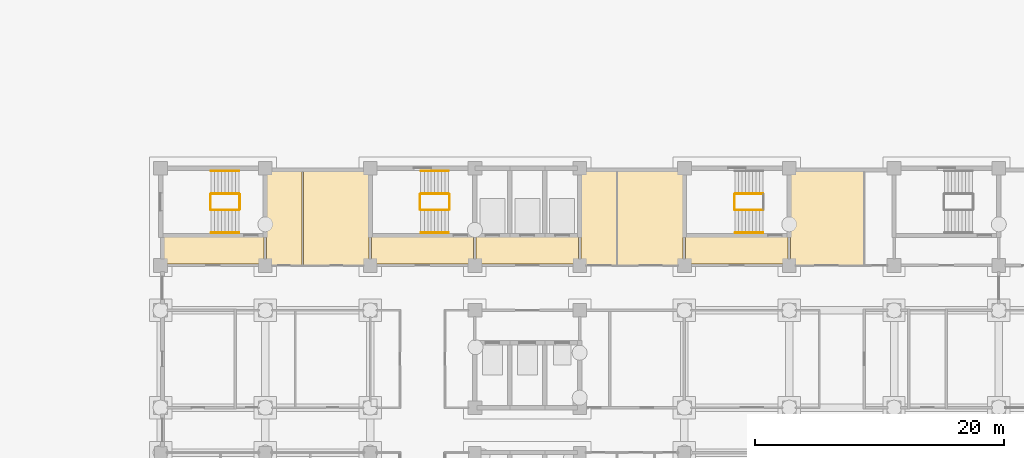
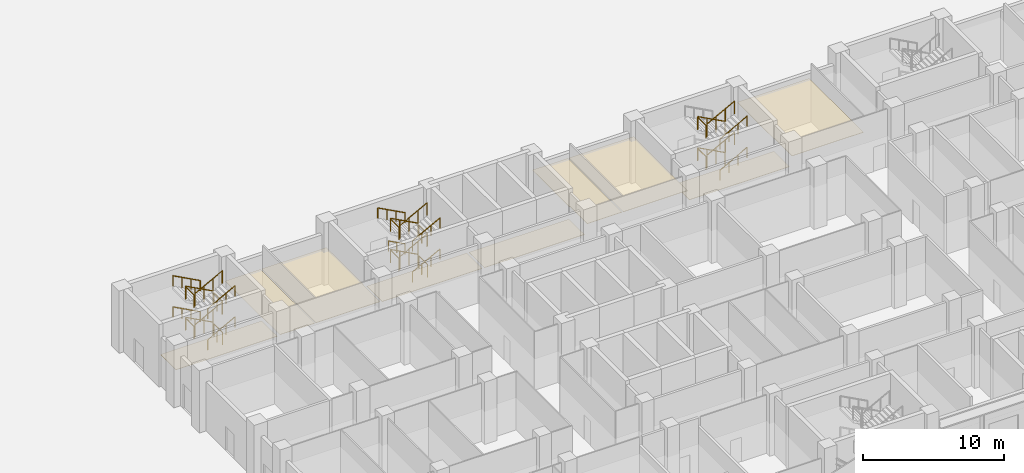
# One storey, part 140 of 146: 32 railings, 9 coverings.
"""IFC4 building model written with IfcOpenShell, lengths in metres."""

from ifc_helpers import new_model, si_unit, direction, frame, origin, origin_2d, place, context, subcontext, project, spatial, polyline, circle, outline, extrude, material, layer, layer_set, type_object, element, save


model = new_model("IFC4")

# Units and contexts
model_context = context("Model", 3, precision=1e-05, world=origin(), true_north=direction((0.0, 1.0)))
body_context = subcontext(model_context, "Body", "Model", "MODEL_VIEW")
ifc_project = project(units=[si_unit("LENGTHUNIT", "METRE"), si_unit("AREAUNIT", "SQUARE_METRE"), si_unit("VOLUMEUNIT", "CUBIC_METRE"), si_unit("PLANEANGLEUNIT", "RADIAN"), si_unit("MASSUNIT", "GRAM", prefix="KILO")], contexts=[model_context])

# Site, building, storey
site_placement = place(None, origin())
site = spatial("IfcSite", under=ifc_project, at=site_placement, CompositionType="ELEMENT")
building_placement = place(site_placement, origin())
building = spatial("IfcBuilding", under=site, at=building_placement, Name="Bougainvillea Quay General Hospital", CompositionType="ELEMENT")
storey_placement = place(building_placement, origin())
storey = spatial("IfcBuildingStorey", under=building, at=storey_placement, Name="L00", CompositionType="ELEMENT", Elevation=0.0)

# Railings
ifc_material_1 = material(Name="Stainless steel 304 balustrade", Category="steel")
railing_type_1 = type_object("IfcRailingType", Name="Stair guard 1100", PredefinedType="GUARDRAIL", material=ifc_material_1)
railing_1_placement = place(storey_placement, frame((65.10009765625, 157.550048828125, 0.14990234375)))
element("IfcRailing", 1, at=railing_1_placement, inside=storey, type_object=railing_type_1, Name="L00 ST-D1 stair guard 1", PredefinedType="GUARDRAIL", context=body_context, shape_type="SweptSolid", body=[
    extrude(circle(Radius=0.02392578125, at=origin_2d()), frame((0.0, 0.0, 1.076171875), z_axis=(-0.881447119201, 0.0, 0.472282728937), x_axis=(0.0, -1.0, 0.0)), (0.0, 0.0, 1.0), 2.541259765625),
    extrude(circle(Radius=0.02099609375, at=origin_2d()), origin(), (0.0, 0.0, 1.0), 1.052001953125),
    extrude(circle(Radius=0.02099609375, at=origin_2d()), frame((-0.74658203125, 0.0, 0.400146484375)), (0.0, 0.0, 1.0), 1.052001953125),
    extrude(circle(Radius=0.02099609375, at=origin_2d()), frame((-1.493408203125, 0.0, 0.800048828125)), (0.0, 0.0, 1.0), 1.052001953125),
    extrude(circle(Radius=0.02099609375, at=origin_2d()), frame((-2.239990234375, 0.0, 1.2001953125)), (0.0, 0.0, 1.0), 1.052001953125),
])
railing_2_placement = place(storey_placement, frame((62.81005859375, 157.5, 1.35009765625)))
element("IfcRailing", 2, at=railing_2_placement, inside=storey, type_object=railing_type_1, Name="L00 ST-D1 stair guard 2", PredefinedType="GUARDRAIL", context=body_context, shape_type="SweptSolid", body=[
    extrude(circle(Radius=0.02392578125, at=origin_2d()), frame((0.0, 0.0, 1.076171875), z_axis=(0.0, -1.0, 0.0), x_axis=(1.0, 0.0, 0.0)), (0.0, 0.0, 1.0), 1.199951171875),
    extrude(circle(Radius=0.02099609375, at=origin_2d()), origin(), (0.0, 0.0, 1.0), 1.052001953125),
    extrude(circle(Radius=0.02099609375, at=origin_2d()), frame((0.0, -1.199951171875, 0.0)), (0.0, 0.0, 1.0), 1.052001953125),
])
railing_3_placement = place(storey_placement, frame((62.860107421875, 156.25, 1.5)))
element("IfcRailing", 3, at=railing_3_placement, inside=storey, type_object=railing_type_1, Name="L00 ST-D1 stair guard 3", PredefinedType="GUARDRAIL", context=body_context, shape_type="SweptSolid", body=[
    extrude(circle(Radius=0.02392578125, at=origin_2d()), frame((0.0, 0.0, 1.076171875), z_axis=(0.881487111273, 0.0, 0.472208081951), x_axis=(0.0, 1.0, 0.0)), (0.0, 0.0, 1.0), 2.541259765625),
    extrude(circle(Radius=0.02099609375, at=origin_2d()), origin(), (0.0, 0.0, 1.0), 1.052001953125),
    extrude(circle(Radius=0.02099609375, at=origin_2d()), frame((0.74658203125, 0.0, 0.39990234375)), (0.0, 0.0, 1.0), 1.052001953125),
    extrude(circle(Radius=0.02099609375, at=origin_2d()), frame((1.493408203125, 0.0, 0.800048828125)), (0.0, 0.0, 1.0), 1.052001953125),
    extrude(circle(Radius=0.02099609375, at=origin_2d()), frame((2.239990234375, 0.0, 1.199951171875)), (0.0, 0.0, 1.0), 1.052001953125),
])
railing_4_placement = place(storey_placement, frame((65.14990234375, 157.5, 2.699951171875)))
element("IfcRailing", 4, at=railing_4_placement, inside=storey, type_object=railing_type_1, Name="L00 ST-D1 stair guard 4", PredefinedType="GUARDRAIL", context=body_context, shape_type="SweptSolid", body=[
    extrude(circle(Radius=0.02392578125, at=origin_2d()), frame((0.0, 0.0, 1.076171875), z_axis=(0.0, -1.0, 0.0), x_axis=(1.0, 0.0, 0.0)), (0.0, 0.0, 1.0), 1.199951171875),
    extrude(circle(Radius=0.02099609375, at=origin_2d()), origin(), (0.0, 0.0, 1.0), 1.052001953125),
    extrude(circle(Radius=0.02099609375, at=origin_2d()), frame((0.0, -1.199951171875, 0.0)), (0.0, 0.0, 1.0), 1.052001953125),
])
railing_5_placement = place(storey_placement, frame((65.10009765625, 157.550048828125, 2.85009765625)))
element("IfcRailing", 5, at=railing_5_placement, inside=storey, type_object=railing_type_1, Name="L00 ST-D1 stair guard 5", PredefinedType="GUARDRAIL", context=body_context, shape_type="SweptSolid", body=[
    extrude(circle(Radius=0.02392578125, at=origin_2d()), frame((0.0, 0.0, 1.076171875), z_axis=(-0.881487111273, 0.0, 0.472208081951), x_axis=(0.0, -1.0, 0.0)), (0.0, 0.0, 1.0), 2.541259765625),
    extrude(circle(Radius=0.02099609375, at=origin_2d()), origin(), (0.0, 0.0, 1.0), 1.052001953125),
    extrude(circle(Radius=0.02099609375, at=origin_2d()), frame((-0.74658203125, 0.0, 0.39990234375)), (0.0, 0.0, 1.0), 1.052001953125),
    extrude(circle(Radius=0.02099609375, at=origin_2d()), frame((-1.493408203125, 0.0, 0.800048828125)), (0.0, 0.0, 1.0), 1.052001953125),
    extrude(circle(Radius=0.02099609375, at=origin_2d()), frame((-2.239990234375, 0.0, 1.199951171875)), (0.0, 0.0, 1.0), 1.052001953125),
])
railing_6_placement = place(storey_placement, frame((62.81005859375, 157.5, 4.050048828125)))
element("IfcRailing", 6, at=railing_6_placement, inside=storey, type_object=railing_type_1, Name="L00 ST-D1 stair guard 6", PredefinedType="GUARDRAIL", context=body_context, shape_type="SweptSolid", body=[
    extrude(circle(Radius=0.02392578125, at=origin_2d()), frame((0.0, 0.0, 1.076171875), z_axis=(0.0, -1.0, 0.0), x_axis=(1.0, 0.0, 0.0)), (0.0, 0.0, 1.0), 1.199951171875),
    extrude(circle(Radius=0.02099609375, at=origin_2d()), origin(), (0.0, 0.0, 1.0), 1.052001953125),
    extrude(circle(Radius=0.02099609375, at=origin_2d()), frame((0.0, -1.199951171875, 0.0)), (0.0, 0.0, 1.0), 1.052001953125),
])
railing_7_placement = place(storey_placement, frame((62.860107421875, 156.25, 4.199951171875)))
element("IfcRailing", 7, at=railing_7_placement, inside=storey, type_object=railing_type_1, Name="L00 ST-D1 stair guard 7", PredefinedType="GUARDRAIL", context=body_context, shape_type="SweptSolid", body=[
    extrude(circle(Radius=0.02392578125, at=origin_2d()), frame((0.0, 0.0, 1.076171875), z_axis=(0.881487111273, 0.0, 0.472208081951), x_axis=(0.0, 1.0, 0.0)), (0.0, 0.0, 1.0), 2.541259765625),
    extrude(circle(Radius=0.02099609375, at=origin_2d()), origin(), (0.0, 0.0, 1.0), 1.052001953125),
    extrude(circle(Radius=0.02099609375, at=origin_2d()), frame((0.74658203125, 0.0, 0.39990234375)), (0.0, 0.0, 1.0), 1.052001953125),
    extrude(circle(Radius=0.02099609375, at=origin_2d()), frame((1.493408203125, 0.0, 0.800048828125)), (0.0, 0.0, 1.0), 1.052001953125),
    extrude(circle(Radius=0.02099609375, at=origin_2d()), frame((2.239990234375, 0.0, 1.199951171875)), (0.0, 0.0, 1.0), 1.052001953125),
])
railing_8_placement = place(storey_placement, frame((65.14990234375, 157.5, 0.0)))
element("IfcRailing", 8, at=railing_8_placement, inside=storey, type_object=railing_type_1, Name="L00 ST-D1 stair guard 8", PredefinedType="GUARDRAIL", context=body_context, shape_type="SweptSolid", body=[
    extrude(circle(Radius=0.02392578125, at=origin_2d()), frame((0.0, 0.0, 1.076171875), z_axis=(0.0, -1.0, 0.0), x_axis=(1.0, 0.0, 0.0)), (0.0, 0.0, 1.0), 1.199951171875),
    extrude(circle(Radius=0.02099609375, at=origin_2d()), origin(), (0.0, 0.0, 1.0), 1.052001953125),
    extrude(circle(Radius=0.02099609375, at=origin_2d()), frame((0.0, -1.199951171875, 0.0)), (0.0, 0.0, 1.0), 1.052001953125),
])
railing_9_placement = place(storey_placement, frame((48.300048828125, 157.550048828125, 0.14990234375)))
element("IfcRailing", 9, at=railing_9_placement, inside=storey, type_object=railing_type_1, Name="L00 ST-A1 stair guard 1", PredefinedType="GUARDRAIL", context=body_context, shape_type="SweptSolid", body=[
    extrude(circle(Radius=0.02392578125, at=origin_2d()), frame((0.0, 0.0, 1.076171875), z_axis=(-0.881447119201, 0.0, 0.472282728937), x_axis=(0.0, -1.0, 0.0)), (0.0, 0.0, 1.0), 2.541259765625),
    extrude(circle(Radius=0.02099609375, at=origin_2d()), origin(), (0.0, 0.0, 1.0), 1.052001953125),
    extrude(circle(Radius=0.02099609375, at=origin_2d()), frame((-0.74658203125, 0.0, 0.400146484375)), (0.0, 0.0, 1.0), 1.052001953125),
    extrude(circle(Radius=0.02099609375, at=origin_2d()), frame((-1.493408203125, 0.0, 0.800048828125)), (0.0, 0.0, 1.0), 1.052001953125),
    extrude(circle(Radius=0.02099609375, at=origin_2d()), frame((-2.239990234375, 0.0, 1.2001953125)), (0.0, 0.0, 1.0), 1.052001953125),
])
railing_10_placement = place(storey_placement, frame((46.010009765625, 157.5, 1.35009765625)))
element("IfcRailing", 10, at=railing_10_placement, inside=storey, type_object=railing_type_1, Name="L00 ST-A1 stair guard 2", PredefinedType="GUARDRAIL", context=body_context, shape_type="SweptSolid", body=[
    extrude(circle(Radius=0.02392578125, at=origin_2d()), frame((0.0, 0.0, 1.076171875), z_axis=(0.0, -1.0, 0.0), x_axis=(1.0, 0.0, 0.0)), (0.0, 0.0, 1.0), 1.199951171875),
    extrude(circle(Radius=0.02099609375, at=origin_2d()), origin(), (0.0, 0.0, 1.0), 1.052001953125),
    extrude(circle(Radius=0.02099609375, at=origin_2d()), frame((0.0, -1.199951171875, 0.0)), (0.0, 0.0, 1.0), 1.052001953125),
])
railing_11_placement = place(storey_placement, frame((46.06005859375, 156.25, 1.5)))
element("IfcRailing", 11, at=railing_11_placement, inside=storey, type_object=railing_type_1, Name="L00 ST-A1 stair guard 3", PredefinedType="GUARDRAIL", context=body_context, shape_type="SweptSolid", body=[
    extrude(circle(Radius=0.02392578125, at=origin_2d()), frame((0.0, 0.0, 1.076171875), z_axis=(0.881487111273, 0.0, 0.472208081951), x_axis=(0.0, 1.0, 0.0)), (0.0, 0.0, 1.0), 2.541259765625),
    extrude(circle(Radius=0.02099609375, at=origin_2d()), origin(), (0.0, 0.0, 1.0), 1.052001953125),
    extrude(circle(Radius=0.02099609375, at=origin_2d()), frame((0.74658203125, 0.0, 0.39990234375)), (0.0, 0.0, 1.0), 1.052001953125),
    extrude(circle(Radius=0.02099609375, at=origin_2d()), frame((1.493408203125, 0.0, 0.800048828125)), (0.0, 0.0, 1.0), 1.052001953125),
    extrude(circle(Radius=0.02099609375, at=origin_2d()), frame((2.239990234375, 0.0, 1.199951171875)), (0.0, 0.0, 1.0), 1.052001953125),
])
railing_12_placement = place(storey_placement, frame((48.35009765625, 157.5, 2.699951171875)))
element("IfcRailing", 12, at=railing_12_placement, inside=storey, type_object=railing_type_1, Name="L00 ST-A1 stair guard 4", PredefinedType="GUARDRAIL", context=body_context, shape_type="SweptSolid", body=[
    extrude(circle(Radius=0.02392578125, at=origin_2d()), frame((0.0, 0.0, 1.076171875), z_axis=(0.0, -1.0, 0.0), x_axis=(1.0, 0.0, 0.0)), (0.0, 0.0, 1.0), 1.199951171875),
    extrude(circle(Radius=0.02099609375, at=origin_2d()), origin(), (0.0, 0.0, 1.0), 1.052001953125),
    extrude(circle(Radius=0.02099609375, at=origin_2d()), frame((0.0, -1.199951171875, 0.0)), (0.0, 0.0, 1.0), 1.052001953125),
])
railing_13_placement = place(storey_placement, frame((48.300048828125, 157.550048828125, 2.85009765625)))
element("IfcRailing", 13, at=railing_13_placement, inside=storey, type_object=railing_type_1, Name="L00 ST-A1 stair guard 5", PredefinedType="GUARDRAIL", context=body_context, shape_type="SweptSolid", body=[
    extrude(circle(Radius=0.02392578125, at=origin_2d()), frame((0.0, 0.0, 1.076171875), z_axis=(-0.881487111273, 0.0, 0.472208081951), x_axis=(0.0, -1.0, 0.0)), (0.0, 0.0, 1.0), 2.541259765625),
    extrude(circle(Radius=0.02099609375, at=origin_2d()), origin(), (0.0, 0.0, 1.0), 1.052001953125),
    extrude(circle(Radius=0.02099609375, at=origin_2d()), frame((-0.74658203125, 0.0, 0.39990234375)), (0.0, 0.0, 1.0), 1.052001953125),
    extrude(circle(Radius=0.02099609375, at=origin_2d()), frame((-1.493408203125, 0.0, 0.800048828125)), (0.0, 0.0, 1.0), 1.052001953125),
    extrude(circle(Radius=0.02099609375, at=origin_2d()), frame((-2.239990234375, 0.0, 1.199951171875)), (0.0, 0.0, 1.0), 1.052001953125),
])
railing_14_placement = place(storey_placement, frame((46.010009765625, 157.5, 4.050048828125)))
element("IfcRailing", 14, at=railing_14_placement, inside=storey, type_object=railing_type_1, Name="L00 ST-A1 stair guard 6", PredefinedType="GUARDRAIL", context=body_context, shape_type="SweptSolid", body=[
    extrude(circle(Radius=0.02392578125, at=origin_2d()), frame((0.0, 0.0, 1.076171875), z_axis=(0.0, -1.0, 0.0), x_axis=(1.0, 0.0, 0.0)), (0.0, 0.0, 1.0), 1.199951171875),
    extrude(circle(Radius=0.02099609375, at=origin_2d()), origin(), (0.0, 0.0, 1.0), 1.052001953125),
    extrude(circle(Radius=0.02099609375, at=origin_2d()), frame((0.0, -1.199951171875, 0.0)), (0.0, 0.0, 1.0), 1.052001953125),
])
railing_15_placement = place(storey_placement, frame((46.06005859375, 156.25, 4.199951171875)))
element("IfcRailing", 15, at=railing_15_placement, inside=storey, type_object=railing_type_1, Name="L00 ST-A1 stair guard 7", PredefinedType="GUARDRAIL", context=body_context, shape_type="SweptSolid", body=[
    extrude(circle(Radius=0.02392578125, at=origin_2d()), frame((0.0, 0.0, 1.076171875), z_axis=(0.881487111273, 0.0, 0.472208081951), x_axis=(0.0, 1.0, 0.0)), (0.0, 0.0, 1.0), 2.541259765625),
    extrude(circle(Radius=0.02099609375, at=origin_2d()), origin(), (0.0, 0.0, 1.0), 1.052001953125),
    extrude(circle(Radius=0.02099609375, at=origin_2d()), frame((0.74658203125, 0.0, 0.39990234375)), (0.0, 0.0, 1.0), 1.052001953125),
    extrude(circle(Radius=0.02099609375, at=origin_2d()), frame((1.493408203125, 0.0, 0.800048828125)), (0.0, 0.0, 1.0), 1.052001953125),
    extrude(circle(Radius=0.02099609375, at=origin_2d()), frame((2.239990234375, 0.0, 1.199951171875)), (0.0, 0.0, 1.0), 1.052001953125),
])
railing_16_placement = place(storey_placement, frame((48.35009765625, 157.5, 0.0)))
element("IfcRailing", 16, at=railing_16_placement, inside=storey, type_object=railing_type_1, Name="L00 ST-A1 stair guard 8", PredefinedType="GUARDRAIL", context=body_context, shape_type="SweptSolid", body=[
    extrude(circle(Radius=0.02392578125, at=origin_2d()), frame((0.0, 0.0, 1.076171875), z_axis=(0.0, -1.0, 0.0), x_axis=(1.0, 0.0, 0.0)), (0.0, 0.0, 1.0), 1.199951171875),
    extrude(circle(Radius=0.02099609375, at=origin_2d()), origin(), (0.0, 0.0, 1.0), 1.052001953125),
    extrude(circle(Radius=0.02099609375, at=origin_2d()), frame((0.0, -1.199951171875, 0.0)), (0.0, 0.0, 1.0), 1.052001953125),
])
railing_17_placement = place(storey_placement, frame((90.300048828125, 157.550048828125, 0.14990234375)))
element("IfcRailing", 17, at=railing_17_placement, inside=storey, type_object=railing_type_1, Name="L00 ST-A2 stair guard 1", PredefinedType="GUARDRAIL", context=body_context, shape_type="SweptSolid", body=[
    extrude(circle(Radius=0.02392578125, at=origin_2d()), frame((0.0, 0.0, 1.076171875), z_axis=(-0.881447119201, 0.0, 0.472282728937), x_axis=(0.0, -1.0, 0.0)), (0.0, 0.0, 1.0), 2.541259765625),
    extrude(circle(Radius=0.02099609375, at=origin_2d()), origin(), (0.0, 0.0, 1.0), 1.052001953125),
    extrude(circle(Radius=0.02099609375, at=origin_2d()), frame((-0.74658203125, 0.0, 0.400146484375)), (0.0, 0.0, 1.0), 1.052001953125),
    extrude(circle(Radius=0.02099609375, at=origin_2d()), frame((-1.493408203125, 0.0, 0.800048828125)), (0.0, 0.0, 1.0), 1.052001953125),
    extrude(circle(Radius=0.02099609375, at=origin_2d()), frame((-2.239990234375, 0.0, 1.2001953125)), (0.0, 0.0, 1.0), 1.052001953125),
])
railing_18_placement = place(storey_placement, frame((88.010009765625, 157.5, 1.35009765625)))
element("IfcRailing", 18, at=railing_18_placement, inside=storey, type_object=railing_type_1, Name="L00 ST-A2 stair guard 2", PredefinedType="GUARDRAIL", context=body_context, shape_type="SweptSolid", body=[
    extrude(circle(Radius=0.02392578125, at=origin_2d()), frame((0.0, 0.0, 1.076171875), z_axis=(0.0, -1.0, 0.0), x_axis=(1.0, 0.0, 0.0)), (0.0, 0.0, 1.0), 1.199951171875),
    extrude(circle(Radius=0.02099609375, at=origin_2d()), origin(), (0.0, 0.0, 1.0), 1.052001953125),
    extrude(circle(Radius=0.02099609375, at=origin_2d()), frame((0.0, -1.199951171875, 0.0)), (0.0, 0.0, 1.0), 1.052001953125),
])
railing_19_placement = place(storey_placement, frame((88.06005859375, 156.25, 1.5)))
element("IfcRailing", 19, at=railing_19_placement, inside=storey, type_object=railing_type_1, Name="L00 ST-A2 stair guard 3", PredefinedType="GUARDRAIL", context=body_context, shape_type="SweptSolid", body=[
    extrude(circle(Radius=0.02392578125, at=origin_2d()), frame((0.0, 0.0, 1.076171875), z_axis=(0.881487111273, 0.0, 0.472208081951), x_axis=(0.0, 1.0, 0.0)), (0.0, 0.0, 1.0), 2.541259765625),
    extrude(circle(Radius=0.02099609375, at=origin_2d()), origin(), (0.0, 0.0, 1.0), 1.052001953125),
    extrude(circle(Radius=0.02099609375, at=origin_2d()), frame((0.74658203125, 0.0, 0.39990234375)), (0.0, 0.0, 1.0), 1.052001953125),
    extrude(circle(Radius=0.02099609375, at=origin_2d()), frame((1.493408203125, 0.0, 0.800048828125)), (0.0, 0.0, 1.0), 1.052001953125),
    extrude(circle(Radius=0.02099609375, at=origin_2d()), frame((2.239990234375, 0.0, 1.199951171875)), (0.0, 0.0, 1.0), 1.052001953125),
])
railing_20_placement = place(storey_placement, frame((90.300048828125, 157.550048828125, 2.85009765625)))
element("IfcRailing", 20, at=railing_20_placement, inside=storey, type_object=railing_type_1, Name="L00 ST-A2 stair guard 5", PredefinedType="GUARDRAIL", context=body_context, shape_type="SweptSolid", body=[
    extrude(circle(Radius=0.02392578125, at=origin_2d()), frame((0.0, 0.0, 1.076171875), z_axis=(-0.881487111273, 0.0, 0.472208081951), x_axis=(0.0, -1.0, 0.0)), (0.0, 0.0, 1.0), 2.541259765625),
    extrude(circle(Radius=0.02099609375, at=origin_2d()), origin(), (0.0, 0.0, 1.0), 1.052001953125),
    extrude(circle(Radius=0.02099609375, at=origin_2d()), frame((-0.74658203125, 0.0, 0.39990234375)), (0.0, 0.0, 1.0), 1.052001953125),
    extrude(circle(Radius=0.02099609375, at=origin_2d()), frame((-1.493408203125, 0.0, 0.800048828125)), (0.0, 0.0, 1.0), 1.052001953125),
    extrude(circle(Radius=0.02099609375, at=origin_2d()), frame((-2.239990234375, 0.0, 1.199951171875)), (0.0, 0.0, 1.0), 1.052001953125),
])
railing_21_placement = place(storey_placement, frame((88.010009765625, 157.5, 4.050048828125)))
element("IfcRailing", 21, at=railing_21_placement, inside=storey, type_object=railing_type_1, Name="L00 ST-A2 stair guard 6", PredefinedType="GUARDRAIL", context=body_context, shape_type="SweptSolid", body=[
    extrude(circle(Radius=0.02392578125, at=origin_2d()), frame((0.0, 0.0, 1.076171875), z_axis=(0.0, -1.0, 0.0), x_axis=(1.0, 0.0, 0.0)), (0.0, 0.0, 1.0), 1.199951171875),
    extrude(circle(Radius=0.02099609375, at=origin_2d()), origin(), (0.0, 0.0, 1.0), 1.052001953125),
    extrude(circle(Radius=0.02099609375, at=origin_2d()), frame((0.0, -1.199951171875, 0.0)), (0.0, 0.0, 1.0), 1.052001953125),
])
railing_22_placement = place(storey_placement, frame((88.06005859375, 156.25, 4.199951171875)))
element("IfcRailing", 22, at=railing_22_placement, inside=storey, type_object=railing_type_1, Name="L00 ST-A2 stair guard 7", PredefinedType="GUARDRAIL", context=body_context, shape_type="SweptSolid", body=[
    extrude(circle(Radius=0.02392578125, at=origin_2d()), frame((0.0, 0.0, 1.076171875), z_axis=(0.881487111273, 0.0, 0.472208081951), x_axis=(0.0, 1.0, 0.0)), (0.0, 0.0, 1.0), 2.541259765625),
    extrude(circle(Radius=0.02099609375, at=origin_2d()), origin(), (0.0, 0.0, 1.0), 1.052001953125),
    extrude(circle(Radius=0.02099609375, at=origin_2d()), frame((0.74658203125, 0.0, 0.39990234375)), (0.0, 0.0, 1.0), 1.052001953125),
    extrude(circle(Radius=0.02099609375, at=origin_2d()), frame((1.493408203125, 0.0, 0.800048828125)), (0.0, 0.0, 1.0), 1.052001953125),
    extrude(circle(Radius=0.02099609375, at=origin_2d()), frame((2.239990234375, 0.0, 1.199951171875)), (0.0, 0.0, 1.0), 1.052001953125),
])
ifc_material_2 = material(Name="Stainless steel 304 handrail", Category="steel")
railing_type_2 = type_object("IfcRailingType", Name="Stair handrail 900", PredefinedType="HANDRAIL", material=ifc_material_2)
railing_23_placement = place(storey_placement, frame((62.860107421875, 154.425048828125, 1.5)))
element("IfcRailing", 23, at=railing_23_placement, inside=storey, type_object=railing_type_2, Name="L00 ST-D1 stair handrail 2", PredefinedType="HANDRAIL", context=body_context, shape_type="SweptSolid", body=[
    extrude(circle(Radius=0.02392578125, at=origin_2d()), frame((0.0, 0.0, 0.8759765625), z_axis=(0.881487111273, 0.0, 0.472208081951), x_axis=(0.0, 1.0, 0.0)), (0.0, 0.0, 1.0), 2.541259765625),
    extrude(circle(Radius=0.02099609375, at=origin_2d()), origin(), (0.0, 0.0, 1.0), 0.851806640625),
    extrude(circle(Radius=0.02099609375, at=origin_2d()), frame((0.74658203125, 0.0, 0.39990234375)), (0.0, 0.0, 1.0), 0.851806640625),
    extrude(circle(Radius=0.02099609375, at=origin_2d()), frame((1.493408203125, 0.0, 0.800048828125)), (0.0, 0.0, 1.0), 0.851806640625),
    extrude(circle(Radius=0.02099609375, at=origin_2d()), frame((2.239990234375, 0.0, 1.199951171875)), (0.0, 0.0, 1.0), 0.851806640625),
])
railing_24_placement = place(storey_placement, frame((65.10009765625, 159.375, 2.85009765625)))
element("IfcRailing", 24, at=railing_24_placement, inside=storey, type_object=railing_type_2, Name="L00 ST-D1 stair handrail 3", PredefinedType="HANDRAIL", context=body_context, shape_type="SweptSolid", body=[
    extrude(circle(Radius=0.02392578125, at=origin_2d()), frame((0.0, 0.0, 0.8759765625), z_axis=(-0.881487111273, 0.0, 0.472208081951), x_axis=(0.0, -1.0, 0.0)), (0.0, 0.0, 1.0), 2.541259765625),
    extrude(circle(Radius=0.02099609375, at=origin_2d()), origin(), (0.0, 0.0, 1.0), 0.851806640625),
    extrude(circle(Radius=0.02099609375, at=origin_2d()), frame((-0.74658203125, 0.0, 0.39990234375)), (0.0, 0.0, 1.0), 0.851806640625),
    extrude(circle(Radius=0.02099609375, at=origin_2d()), frame((-1.493408203125, 0.0, 0.800048828125)), (0.0, 0.0, 1.0), 0.851806640625),
    extrude(circle(Radius=0.02099609375, at=origin_2d()), frame((-2.239990234375, 0.0, 1.199951171875)), (0.0, 0.0, 1.0), 0.851806640625),
])
railing_25_placement = place(storey_placement, frame((62.860107421875, 154.425048828125, 4.199951171875)))
element("IfcRailing", 25, at=railing_25_placement, inside=storey, type_object=railing_type_2, Name="L00 ST-D1 stair handrail 4", PredefinedType="HANDRAIL", context=body_context, shape_type="SweptSolid", body=[
    extrude(circle(Radius=0.02392578125, at=origin_2d()), frame((0.0, 0.0, 0.8759765625), z_axis=(0.881487111273, 0.0, 0.472208081951), x_axis=(0.0, 1.0, 0.0)), (0.0, 0.0, 1.0), 2.541259765625),
    extrude(circle(Radius=0.02099609375, at=origin_2d()), origin(), (0.0, 0.0, 1.0), 0.851806640625),
    extrude(circle(Radius=0.02099609375, at=origin_2d()), frame((0.74658203125, 0.0, 0.39990234375)), (0.0, 0.0, 1.0), 0.851806640625),
    extrude(circle(Radius=0.02099609375, at=origin_2d()), frame((1.493408203125, 0.0, 0.800048828125)), (0.0, 0.0, 1.0), 0.851806640625),
    extrude(circle(Radius=0.02099609375, at=origin_2d()), frame((2.239990234375, 0.0, 1.199951171875)), (0.0, 0.0, 1.0), 0.851806640625),
])
railing_26_placement = place(storey_placement, frame((48.300048828125, 159.375, 0.14990234375)))
element("IfcRailing", 26, at=railing_26_placement, inside=storey, type_object=railing_type_2, Name="L00 ST-A1 stair handrail 1", PredefinedType="HANDRAIL", context=body_context, shape_type="SweptSolid", body=[
    extrude(circle(Radius=0.02392578125, at=origin_2d()), frame((0.0, 0.0, 0.8759765625), z_axis=(-0.881447119201, 0.0, 0.472282728937), x_axis=(0.0, -1.0, 0.0)), (0.0, 0.0, 1.0), 2.541259765625),
    extrude(circle(Radius=0.02099609375, at=origin_2d()), origin(), (0.0, 0.0, 1.0), 0.851806640625),
    extrude(circle(Radius=0.02099609375, at=origin_2d()), frame((-0.74658203125, 0.0, 0.400146484375)), (0.0, 0.0, 1.0), 0.851806640625),
    extrude(circle(Radius=0.02099609375, at=origin_2d()), frame((-1.493408203125, 0.0, 0.800048828125)), (0.0, 0.0, 1.0), 0.851806640625),
    extrude(circle(Radius=0.02099609375, at=origin_2d()), frame((-2.239990234375, 0.0, 1.2001953125)), (0.0, 0.0, 1.0), 0.851806640625),
])
railing_27_placement = place(storey_placement, frame((46.06005859375, 154.425048828125, 1.5)))
element("IfcRailing", 27, at=railing_27_placement, inside=storey, type_object=railing_type_2, Name="L00 ST-A1 stair handrail 2", PredefinedType="HANDRAIL", context=body_context, shape_type="SweptSolid", body=[
    extrude(circle(Radius=0.02392578125, at=origin_2d()), frame((0.0, 0.0, 0.8759765625), z_axis=(0.881487111273, 0.0, 0.472208081951), x_axis=(0.0, 1.0, 0.0)), (0.0, 0.0, 1.0), 2.541259765625),
    extrude(circle(Radius=0.02099609375, at=origin_2d()), origin(), (0.0, 0.0, 1.0), 0.851806640625),
    extrude(circle(Radius=0.02099609375, at=origin_2d()), frame((0.74658203125, 0.0, 0.39990234375)), (0.0, 0.0, 1.0), 0.851806640625),
    extrude(circle(Radius=0.02099609375, at=origin_2d()), frame((1.493408203125, 0.0, 0.800048828125)), (0.0, 0.0, 1.0), 0.851806640625),
    extrude(circle(Radius=0.02099609375, at=origin_2d()), frame((2.239990234375, 0.0, 1.199951171875)), (0.0, 0.0, 1.0), 0.851806640625),
])
railing_28_placement = place(storey_placement, frame((48.300048828125, 159.375, 2.85009765625)))
element("IfcRailing", 28, at=railing_28_placement, inside=storey, type_object=railing_type_2, Name="L00 ST-A1 stair handrail 3", PredefinedType="HANDRAIL", context=body_context, shape_type="SweptSolid", body=[
    extrude(circle(Radius=0.02392578125, at=origin_2d()), frame((0.0, 0.0, 0.8759765625), z_axis=(-0.881487111273, 0.0, 0.472208081951), x_axis=(0.0, -1.0, 0.0)), (0.0, 0.0, 1.0), 2.541259765625),
    extrude(circle(Radius=0.02099609375, at=origin_2d()), origin(), (0.0, 0.0, 1.0), 0.851806640625),
    extrude(circle(Radius=0.02099609375, at=origin_2d()), frame((-0.74658203125, 0.0, 0.39990234375)), (0.0, 0.0, 1.0), 0.851806640625),
    extrude(circle(Radius=0.02099609375, at=origin_2d()), frame((-1.493408203125, 0.0, 0.800048828125)), (0.0, 0.0, 1.0), 0.851806640625),
    extrude(circle(Radius=0.02099609375, at=origin_2d()), frame((-2.239990234375, 0.0, 1.199951171875)), (0.0, 0.0, 1.0), 0.851806640625),
])
for number, where, name in (
    (29, (46.06005859375, 154.425048828125, 4.199951171875), "L00 ST-A1 stair handrail 4"),
    (30, (88.06005859375, 154.425048828125, 1.5), "L00 ST-A2 stair handrail 2"),
    (31, (88.06005859375, 154.425048828125, 4.199951171875), "L00 ST-A2 stair handrail 4"),
):
    element("IfcRailing", number, at=place(storey_placement, frame(where)), inside=storey, type_object=railing_type_2, Name=name, PredefinedType="HANDRAIL", context=body_context, shape_type="SweptSolid", body=[
        extrude(circle(Radius=0.02392578125, at=origin_2d()), frame((0.0, 0.0, 0.8759765625), z_axis=(0.881487111273, 0.0, 0.472208081951), x_axis=(0.0, 1.0, 0.0)), (0.0, 0.0, 1.0), 2.541259765625),
        extrude(circle(Radius=0.02099609375, at=origin_2d()), origin(), (0.0, 0.0, 1.0), 0.851806640625),
        extrude(circle(Radius=0.02099609375, at=origin_2d()), frame((0.74658203125, 0.0, 0.39990234375)), (0.0, 0.0, 1.0), 0.851806640625),
        extrude(circle(Radius=0.02099609375, at=origin_2d()), frame((1.493408203125, 0.0, 0.800048828125)), (0.0, 0.0, 1.0), 0.851806640625),
        extrude(circle(Radius=0.02099609375, at=origin_2d()), frame((2.239990234375, 0.0, 1.199951171875)), (0.0, 0.0, 1.0), 0.851806640625),
    ])
railing_29_placement = place(storey_placement, frame((65.10009765625, 159.375, 0.14990234375)))
element("IfcRailing", 32, at=railing_29_placement, inside=storey, type_object=railing_type_2, Name="L00 ST-D1 stair handrail 1", PredefinedType="HANDRAIL", context=body_context, shape_type="SweptSolid", body=[
    extrude(circle(Radius=0.02392578125, at=origin_2d()), frame((0.0, 0.0, 0.8759765625), z_axis=(-0.881442608166, 0.0, 0.472291148032), x_axis=(0.0, -1.0, 0.0)), (0.0, 0.0, 1.0), 1.554443359375),
    extrude(circle(Radius=0.02099609375, at=origin_2d()), origin(), (0.0, 0.0, 1.0), 0.851806640625),
    extrude(circle(Radius=0.02099609375, at=origin_2d()), frame((-0.68505859375, 0.0, 0.3671875)), (0.0, 0.0, 1.0), 0.851806640625),
    extrude(circle(Radius=0.02099609375, at=origin_2d()), frame((-1.3701171875, 0.0, 0.734130859375)), (0.0, 0.0, 1.0), 0.851806640625),
])

# Coverings
ifc_material_3 = material(Name="Mineral fibre ceiling tile")
ifc_layer = layer(ifc_material_3, 0.030029296875)
ifc_layer_set = layer_set([ifc_layer], Name="Mineral fibre ceiling tile")
covering_type = type_object("IfcCoveringType", Name="Suspended ceiling mineral fibre tile", PredefinedType="CEILING", material=ifc_layer_set)
covering_1_placement = place(storey_placement, frame((0.0, 0.0, 2.699951171875)))
element("IfcCovering", 33, at=covering_1_placement, inside=storey, type_object=covering_type, Name="Ceiling Lift Lobby LB-G1", PredefinedType="CEILING", context=body_context, shape_type="SweptSolid", body=[
    extrude(outline(polyline([(75.5, 151.89990234375), (75.5, 154.10009765625), (67.300048828125, 154.10009765625), (67.300048828125, 151.89990234375), (75.5, 151.89990234375)])), origin(), (0.0, 0.0, 1.0), 0.030029296875),
])
covering_2_placement = place(storey_placement, frame((0.0, 0.0, 2.699951171875)))
element("IfcCovering", 34, at=covering_2_placement, inside=storey, type_object=covering_type, Name="Ceiling Smoke-proof Stair Vestibule ST-A1", PredefinedType="CEILING", context=body_context, shape_type="SweptSolid", body=[
    extrude(outline(polyline([(42.0, 151.89990234375), (50.300048828125, 151.89990234375), (50.300048828125, 154.10009765625), (42.0, 154.10009765625), (42.0, 151.89990234375)])), origin(), (0.0, 0.0, 1.0), 0.030029296875),
])
covering_3_placement = place(storey_placement, frame((0.0, 0.0, 2.699951171875)))
element("IfcCovering", 35, at=covering_3_placement, inside=storey, type_object=covering_type, Name="Ceiling Smoke-proof Stair Vestibule ST-A2", PredefinedType="CEILING", context=body_context, shape_type="SweptSolid", body=[
    extrude(outline(polyline([(92.300048828125, 151.89990234375), (92.300048828125, 154.10009765625), (84.10009765625, 154.10009765625), (84.10009765625, 151.89990234375), (92.300048828125, 151.89990234375)])), origin(), (0.0, 0.0, 1.0), 0.030029296875),
])
covering_4_placement = place(storey_placement, frame((0.0, 0.0, 2.699951171875)))
element("IfcCovering", 36, at=covering_4_placement, inside=storey, type_object=covering_type, Name="Ceiling Smoke-proof Stair Vestibule ST-D1", PredefinedType="CEILING", context=body_context, shape_type="SweptSolid", body=[
    extrude(outline(polyline([(67.10009765625, 154.10009765625), (58.89990234375, 154.10009765625), (58.89990234375, 151.89990234375), (67.10009765625, 151.89990234375), (67.10009765625, 154.10009765625)])), origin(), (0.0, 0.0, 1.0), 0.030029296875),
])
covering_5_placement = place(storey_placement, frame((0.0, 0.0, 2.800048828125)))
element("IfcCovering", 37, at=covering_5_placement, inside=storey, type_object=covering_type, Name="Ceiling Staff WC 01", PredefinedType="CEILING", context=body_context, shape_type="SweptSolid", body=[
    extrude(outline(polyline([(53.347900390625, 151.85009765625), (53.347900390625, 159.552001953125), (50.449951171875, 159.552001953125), (50.449951171875, 154.300048828125), (50.5, 154.300048828125), (50.5, 151.85009765625), (53.347900390625, 151.85009765625)])), origin(), (0.0, 0.0, 1.0), 0.030029296875),
])
covering_6_placement = place(storey_placement, frame((0.0, 0.0, 2.800048828125)))
element("IfcCovering", 38, at=covering_6_placement, inside=storey, type_object=covering_type, Name="Ceiling Staff Locker Room", PredefinedType="CEILING", context=body_context, shape_type="SweptSolid", body=[
    extrude(outline(polyline([(58.75, 154.300048828125), (58.75, 159.552001953125), (53.447998046875, 159.552001953125), (53.447998046875, 151.85009765625), (58.699951171875, 151.85009765625), (58.699951171875, 154.300048828125), (58.75, 154.300048828125)])), origin(), (0.0, 0.0, 1.0), 0.030029296875),
])
covering_7_placement = place(storey_placement, frame((0.0, 0.0, 3.60009765625)))
element("IfcCovering", 39, at=covering_7_placement, inside=storey, type_object=covering_type, Name="Ceiling Loading Dock Hall", PredefinedType="CEILING", context=body_context, shape_type="SweptSolid", body=[
    extrude(outline(polyline([(78.548095703125, 151.85009765625), (78.548095703125, 159.552001953125), (75.64990234375, 159.552001953125), (75.64990234375, 154.300048828125), (75.699951171875, 154.300048828125), (75.699951171875, 151.85009765625), (78.548095703125, 151.85009765625)])), origin(), (0.0, 0.0, 1.0), 0.02978515625),
])
covering_8_placement = place(storey_placement, frame((0.0, 0.0, 3.60009765625)))
element("IfcCovering", 40, at=covering_8_placement, inside=storey, type_object=covering_type, Name="Ceiling Loading Dock Hall", PredefinedType="CEILING", context=body_context, shape_type="SweptSolid", body=[
    extrude(outline(polyline([(83.949951171875, 154.300048828125), (83.949951171875, 159.552001953125), (78.64794921875, 159.552001953125), (78.64794921875, 151.85009765625), (83.89990234375, 151.85009765625), (83.89990234375, 154.300048828125), (83.949951171875, 154.300048828125)])), origin(), (0.0, 0.0, 1.0), 0.02978515625),
])
covering_9_placement = place(storey_placement, frame((0.0, 0.0, 3.60009765625)))
element("IfcCovering", 41, at=covering_9_placement, inside=storey, type_object=covering_type, Name="Ceiling Main Kitchen", PredefinedType="CEILING", context=body_context, shape_type="SweptSolid", body=[
    extrude(outline(polyline([(98.347900390625, 151.85009765625), (98.347900390625, 159.552001953125), (92.449951171875, 159.552001953125), (92.449951171875, 154.300048828125), (92.5, 154.300048828125), (92.5, 151.85009765625), (98.347900390625, 151.85009765625)])), origin(), (0.0, 0.0, 1.0), 0.02978515625),
])

save(model, "model.ifc")
